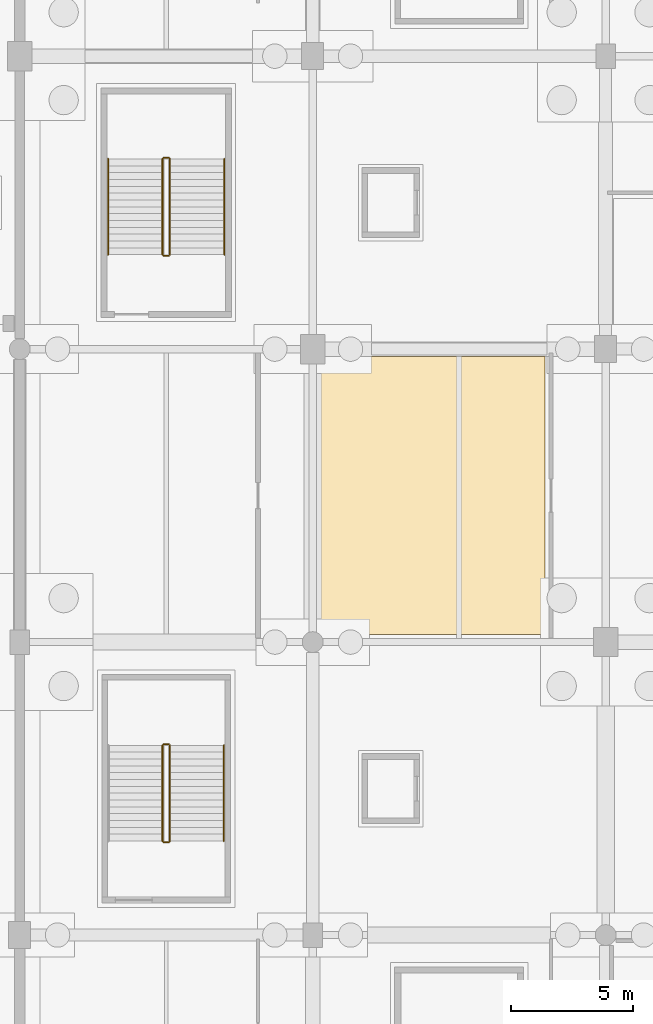
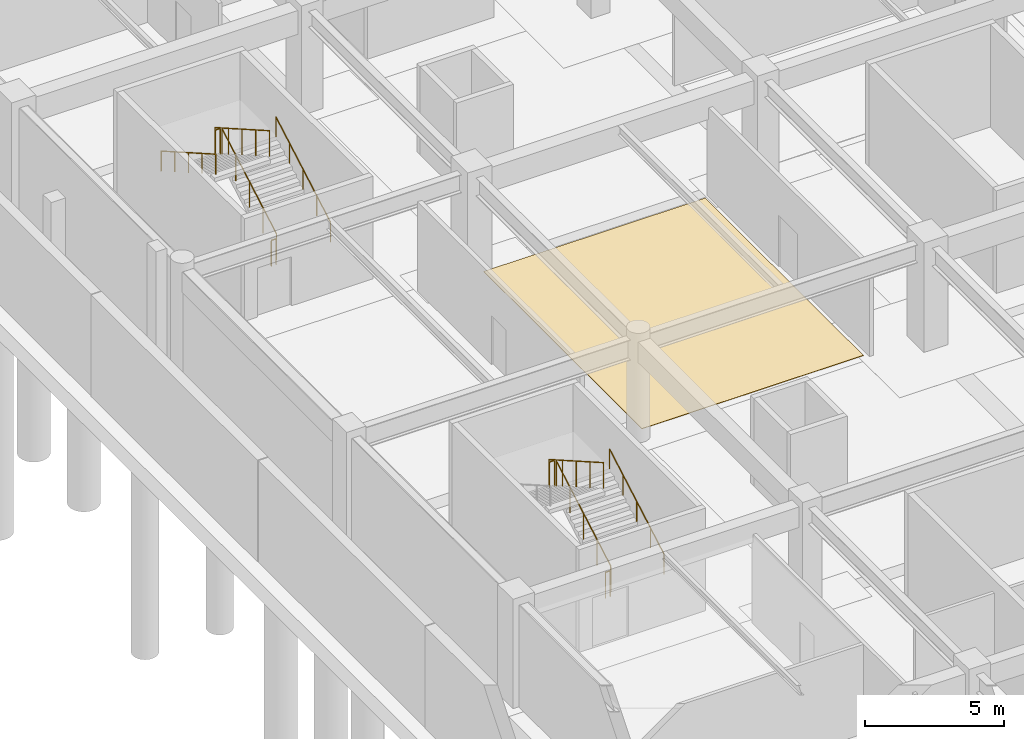
# One storey, part 47 of 56: 11 railings, 1 covering.
"""IFC4 building model written with IfcOpenShell, lengths in metres."""

from ifc_helpers import new_model, si_unit, direction, frame, origin, origin_2d, place, context, subcontext, project, spatial, polyline, circle, outline, extrude, material, layer, layer_set, type_object, element, save


model = new_model("IFC4")

# Units and contexts
model_context = context("Model", 3, precision=1e-05, world=origin(), true_north=direction((0.0, 1.0)))
body_context = subcontext(model_context, "Body", "Model", "MODEL_VIEW")
ifc_project = project(units=[si_unit("LENGTHUNIT", "METRE"), si_unit("AREAUNIT", "SQUARE_METRE"), si_unit("VOLUMEUNIT", "CUBIC_METRE"), si_unit("PLANEANGLEUNIT", "RADIAN"), si_unit("MASSUNIT", "GRAM", prefix="KILO")], contexts=[model_context])

# Site, building, storey
site_placement = place(None, origin())
site = spatial("IfcSite", under=ifc_project, at=site_placement, CompositionType="ELEMENT")
building_placement = place(site_placement, origin())
building = spatial("IfcBuilding", under=site, at=building_placement, Name="Kazenohara Klinker Stadium", CompositionType="ELEMENT")
storey_placement = place(building_placement, frame((0.0, 0.0, -4.800048828125)))
storey = spatial("IfcBuildingStorey", under=building, at=storey_placement, Name="B01", CompositionType="ELEMENT", Elevation=-4.800048828125)

# Covering
ifc_material_1 = material(Name="Slip-resistant honed basalt terrazzo flooring", Category="masonry")
ifc_layer_1 = layer(ifc_material_1, 0.02001953125)
ifc_layer_set_1 = layer_set([ifc_layer_1], Name="Slip-resistant honed basalt terrazzo flooring")
covering_type = type_object("IfcCoveringType", Name="COV-FLR-01", PredefinedType="FLOORING", material=ifc_layer_set_1)
covering_placement = place(storey_placement, origin())
element("IfcCovering", 1, at=covering_placement, inside=storey, type_object=covering_type, Name="Interior floor finish FL01 Sports Hydrotherapy Recovery Clinic B01-0106A", PredefinedType="FLOORING", context=body_context, shape_type="SweptSolid", body=[
    extrude(outline(polyline([(12.330078125, 72.31005859375), (21.52001953125, 72.31005859375), (21.52001953125, 83.68994140625), (12.330078125, 83.68994140625), (12.330078125, 72.31005859375)])), origin(), (0.0, 0.0, 1.0), 0.02001953125),
])

# Railings
ifc_material_2 = material(Name="Brushed stainless steel 304 handrail", Category="steel")
ifc_layer_2 = layer(ifc_material_2, 0.050048828125)
ifc_layer_set_2 = layer_set([ifc_layer_2], Name="Brushed stainless steel 304 handrail")
railing_type_1 = type_object("IfcRailingType", Name="RL-HND-900", PredefinedType="HANDRAIL", material=ifc_layer_set_2)
for number, where, name in (
    (2, (8.360107421875, 63.85009765625, 0.16015625), "B01 ST02 stair handrail 1"),
    (3, (8.3798828125, 87.8701171875, 0.16015625), "B01 ST03 stair handrail 1"),
):
    element("IfcRailing", number, at=place(storey_placement, frame(where)), inside=storey, type_object=railing_type_1, Name=name, PredefinedType="HANDRAIL", context=body_context, shape_type="SweptSolid", body=[
        extrude(circle(Radius=0.02392578125, at=origin_2d()), frame((0.0, 0.0, 0.8759765625), z_axis=(0.0, 0.868239814368, 0.496144761885), x_axis=(-1.0, 0.0, 0.0)), (0.0, 0.0, 1.0), 4.514892578125),
        extrude(circle(Radius=0.02099609375, at=origin_2d()), origin(), (0.0, 0.0, 1.0), 0.851806640625),
        extrude(circle(Radius=0.02099609375, at=origin_2d()), frame((0.0, 0.97998046875, 0.56005859375)), (0.0, 0.0, 1.0), 0.851806640625),
        extrude(circle(Radius=0.02099609375, at=origin_2d()), frame((0.0, 1.9599609375, 1.1201171875)), (0.0, 0.0, 1.0), 0.851806640625),
        extrude(circle(Radius=0.02099609375, at=origin_2d()), frame((0.0, 2.93994140625, 1.679931640625)), (0.0, 0.0, 1.0), 0.851806640625),
        extrude(circle(Radius=0.02099609375, at=origin_2d()), frame((0.0, 3.919921875, 2.239990234375)), (0.0, 0.0, 1.0), 0.851806640625),
    ])
railing_1_placement = place(storey_placement, frame((3.6201171875, 91.7900390625, 2.56005859375)))
element("IfcRailing", 4, at=railing_1_placement, inside=storey, type_object=railing_type_1, Name="B01 ST03 stair handrail 2", PredefinedType="HANDRAIL", context=body_context, shape_type="SweptSolid", body=[
    extrude(circle(Radius=0.02392578125, at=origin_2d()), frame((0.0, 0.0, 0.8759765625), z_axis=(0.0, -0.868239814368, 0.496144761885), x_axis=(1.0, 0.0, 0.0)), (0.0, 0.0, 1.0), 4.514892578125),
    extrude(circle(Radius=0.02099609375, at=origin_2d()), origin(), (0.0, 0.0, 1.0), 0.851806640625),
    extrude(circle(Radius=0.02099609375, at=origin_2d()), frame((0.0, -0.97998046875, 0.56005859375)), (0.0, 0.0, 1.0), 0.851806640625),
    extrude(circle(Radius=0.02099609375, at=origin_2d()), frame((0.0, -1.9599609375, 1.1201171875)), (0.0, 0.0, 1.0), 0.851806640625),
    extrude(circle(Radius=0.02099609375, at=origin_2d()), frame((0.0, -2.93994140625, 1.679931640625)), (0.0, 0.0, 1.0), 0.851806640625),
    extrude(circle(Radius=0.02099609375, at=origin_2d()), frame((0.0, -3.919921875, 2.239990234375)), (0.0, 0.0, 1.0), 0.851806640625),
])
ifc_material_3 = material(Name="Painted steel stairwell guardrail", Category="steel")
ifc_layer_3 = layer(ifc_material_3, 0.06005859375)
ifc_layer_set_3 = layer_set([ifc_layer_3], Name="Painted steel stairwell guardrail")
railing_type_2 = type_object("IfcRailingType", Name="RL-STG-1120", PredefinedType="GUARDRAIL", material=ifc_layer_set_3)
railing_2_placement = place(storey_placement, frame((6.14990234375, 63.85009765625, 0.16015625)))
element("IfcRailing", 5, at=railing_2_placement, inside=storey, type_object=railing_type_2, Name="B01 ST02 stair guard 1", PredefinedType="GUARDRAIL", context=body_context, shape_type="SweptSolid", body=[
    extrude(circle(Radius=0.02392578125, at=origin_2d()), frame((0.0, 0.0, 1.1259765625), z_axis=(0.0, 0.868239814368, 0.496144761885), x_axis=(-1.0, 0.0, 0.0)), (0.0, 0.0, 1.0), 4.514892578125),
    extrude(circle(Radius=0.02099609375, at=origin_2d()), origin(), (0.0, 0.0, 1.0), 1.101806640625),
    extrude(circle(Radius=0.02099609375, at=origin_2d()), frame((0.0, 0.97998046875, 0.56005859375)), (0.0, 0.0, 1.0), 1.101806640625),
    extrude(circle(Radius=0.02099609375, at=origin_2d()), frame((0.0, 1.9599609375, 1.1201171875)), (0.0, 0.0, 1.0), 1.101806640625),
    extrude(circle(Radius=0.02099609375, at=origin_2d()), frame((0.0, 2.93994140625, 1.679931640625)), (0.0, 0.0, 1.0), 1.101806640625),
    extrude(circle(Radius=0.02099609375, at=origin_2d()), frame((0.0, 3.919921875, 2.239990234375)), (0.0, 0.0, 1.0), 1.101806640625),
])
railing_3_placement = place(storey_placement, frame((6.10009765625, 67.820068359375, 2.400146484375)))
element("IfcRailing", 6, at=railing_3_placement, inside=storey, type_object=railing_type_2, Name="B01 ST02 stair guard 2", PredefinedType="GUARDRAIL", context=body_context, shape_type="SweptSolid", body=[
    extrude(circle(Radius=0.02392578125, at=origin_2d()), frame((0.0, 0.0, 1.1259765625), z_axis=(-1.0, 0.0, 0.0), x_axis=(0.0, -1.0, 0.0)), (0.0, 0.0, 1.0), 0.2001953125),
    extrude(circle(Radius=0.02099609375, at=origin_2d()), origin(), (0.0, 0.0, 1.0), 1.101806640625),
    extrude(circle(Radius=0.02099609375, at=origin_2d()), frame((-0.2001953125, 0.0, 0.0)), (0.0, 0.0, 1.0), 1.101806640625),
])
railing_4_placement = place(storey_placement, frame((5.85009765625, 67.77001953125, 2.56005859375)))
element("IfcRailing", 7, at=railing_4_placement, inside=storey, type_object=railing_type_2, Name="B01 ST02 stair guard 3", PredefinedType="GUARDRAIL", context=body_context, shape_type="SweptSolid", body=[
    extrude(circle(Radius=0.02392578125, at=origin_2d()), frame((0.0, 0.0, 1.1259765625), z_axis=(0.0, -0.868239814368, 0.496144761885), x_axis=(1.0, 0.0, 0.0)), (0.0, 0.0, 1.0), 4.514892578125),
    extrude(circle(Radius=0.02099609375, at=origin_2d()), origin(), (0.0, 0.0, 1.0), 1.101806640625),
    extrude(circle(Radius=0.02099609375, at=origin_2d()), frame((0.0, -0.97998046875, 0.56005859375)), (0.0, 0.0, 1.0), 1.101806640625),
    extrude(circle(Radius=0.02099609375, at=origin_2d()), frame((0.0, -1.9599609375, 1.1201171875)), (0.0, 0.0, 1.0), 1.101806640625),
    extrude(circle(Radius=0.02099609375, at=origin_2d()), frame((0.0, -2.93994140625, 1.679931640625)), (0.0, 0.0, 1.0), 1.101806640625),
    extrude(circle(Radius=0.02099609375, at=origin_2d()), frame((0.0, -3.919921875, 2.239990234375)), (0.0, 0.0, 1.0), 1.101806640625),
])
railing_5_placement = place(storey_placement, frame((6.10009765625, 63.800048828125, 0.0)))
element("IfcRailing", 8, at=railing_5_placement, inside=storey, type_object=railing_type_2, Name="B01 ST02 stair guard 4", PredefinedType="GUARDRAIL", context=body_context, shape_type="SweptSolid", body=[
    extrude(circle(Radius=0.02392578125, at=origin_2d()), frame((0.0, 0.0, 1.1259765625), z_axis=(-1.0, 0.0, 0.0), x_axis=(0.0, -1.0, 0.0)), (0.0, 0.0, 1.0), 0.2001953125),
    extrude(circle(Radius=0.02099609375, at=origin_2d()), origin(), (0.0, 0.0, 1.0), 1.101806640625),
    extrude(circle(Radius=0.02099609375, at=origin_2d()), frame((-0.2001953125, 0.0, 0.0)), (0.0, 0.0, 1.0), 1.101806640625),
])
railing_6_placement = place(storey_placement, frame((6.14990234375, 87.8701171875, 0.16015625)))
element("IfcRailing", 9, at=railing_6_placement, inside=storey, type_object=railing_type_2, Name="B01 ST03 stair guard 1", PredefinedType="GUARDRAIL", context=body_context, shape_type="SweptSolid", body=[
    extrude(circle(Radius=0.02392578125, at=origin_2d()), frame((0.0, 0.0, 1.1259765625), z_axis=(0.0, 0.868239814368, 0.496144761885), x_axis=(-1.0, 0.0, 0.0)), (0.0, 0.0, 1.0), 4.514892578125),
    extrude(circle(Radius=0.02099609375, at=origin_2d()), origin(), (0.0, 0.0, 1.0), 1.101806640625),
    extrude(circle(Radius=0.02099609375, at=origin_2d()), frame((0.0, 0.97998046875, 0.56005859375)), (0.0, 0.0, 1.0), 1.101806640625),
    extrude(circle(Radius=0.02099609375, at=origin_2d()), frame((0.0, 1.9599609375, 1.1201171875)), (0.0, 0.0, 1.0), 1.101806640625),
    extrude(circle(Radius=0.02099609375, at=origin_2d()), frame((0.0, 2.93994140625, 1.679931640625)), (0.0, 0.0, 1.0), 1.101806640625),
    extrude(circle(Radius=0.02099609375, at=origin_2d()), frame((0.0, 3.919921875, 2.239990234375)), (0.0, 0.0, 1.0), 1.101806640625),
])
railing_7_placement = place(storey_placement, frame((6.10009765625, 91.840087890625, 2.400146484375)))
element("IfcRailing", 10, at=railing_7_placement, inside=storey, type_object=railing_type_2, Name="B01 ST03 stair guard 2", PredefinedType="GUARDRAIL", context=body_context, shape_type="SweptSolid", body=[
    extrude(circle(Radius=0.02392578125, at=origin_2d()), frame((0.0, 0.0, 1.1259765625), z_axis=(-1.0, 0.0, 0.0), x_axis=(0.0, -1.0, 0.0)), (0.0, 0.0, 1.0), 0.2001953125),
    extrude(circle(Radius=0.02099609375, at=origin_2d()), origin(), (0.0, 0.0, 1.0), 1.101806640625),
    extrude(circle(Radius=0.02099609375, at=origin_2d()), frame((-0.2001953125, 0.0, 0.0)), (0.0, 0.0, 1.0), 1.101806640625),
])
railing_8_placement = place(storey_placement, frame((5.85009765625, 91.7900390625, 2.56005859375)))
element("IfcRailing", 11, at=railing_8_placement, inside=storey, type_object=railing_type_2, Name="B01 ST03 stair guard 3", PredefinedType="GUARDRAIL", context=body_context, shape_type="SweptSolid", body=[
    extrude(circle(Radius=0.02392578125, at=origin_2d()), frame((0.0, 0.0, 1.1259765625), z_axis=(0.0, -0.868239814368, 0.496144761885), x_axis=(1.0, 0.0, 0.0)), (0.0, 0.0, 1.0), 4.514892578125),
    extrude(circle(Radius=0.02099609375, at=origin_2d()), origin(), (0.0, 0.0, 1.0), 1.101806640625),
    extrude(circle(Radius=0.02099609375, at=origin_2d()), frame((0.0, -0.97998046875, 0.56005859375)), (0.0, 0.0, 1.0), 1.101806640625),
    extrude(circle(Radius=0.02099609375, at=origin_2d()), frame((0.0, -1.9599609375, 1.1201171875)), (0.0, 0.0, 1.0), 1.101806640625),
    extrude(circle(Radius=0.02099609375, at=origin_2d()), frame((0.0, -2.93994140625, 1.679931640625)), (0.0, 0.0, 1.0), 1.101806640625),
    extrude(circle(Radius=0.02099609375, at=origin_2d()), frame((0.0, -3.919921875, 2.239990234375)), (0.0, 0.0, 1.0), 1.101806640625),
])
railing_9_placement = place(storey_placement, frame((6.10009765625, 87.820068359375, 0.0)))
element("IfcRailing", 12, at=railing_9_placement, inside=storey, type_object=railing_type_2, Name="B01 ST03 stair guard 4", PredefinedType="GUARDRAIL", context=body_context, shape_type="SweptSolid", body=[
    extrude(circle(Radius=0.02392578125, at=origin_2d()), frame((0.0, 0.0, 1.1259765625), z_axis=(-1.0, 0.0, 0.0), x_axis=(0.0, -1.0, 0.0)), (0.0, 0.0, 1.0), 0.2001953125),
    extrude(circle(Radius=0.02099609375, at=origin_2d()), origin(), (0.0, 0.0, 1.0), 1.101806640625),
    extrude(circle(Radius=0.02099609375, at=origin_2d()), frame((-0.2001953125, 0.0, 0.0)), (0.0, 0.0, 1.0), 1.101806640625),
])

save(model, "model.ifc")
